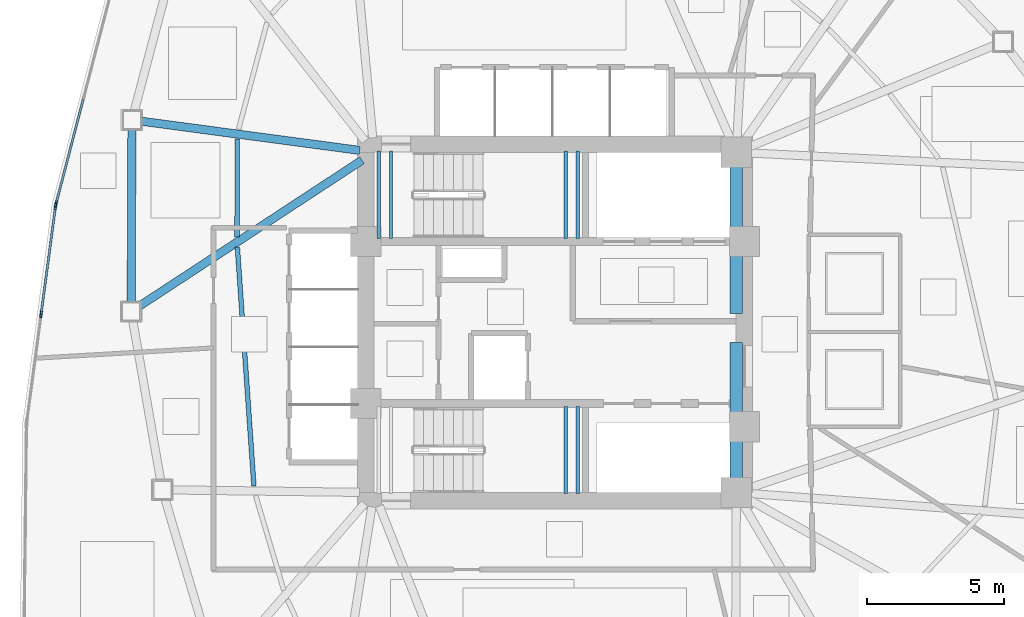
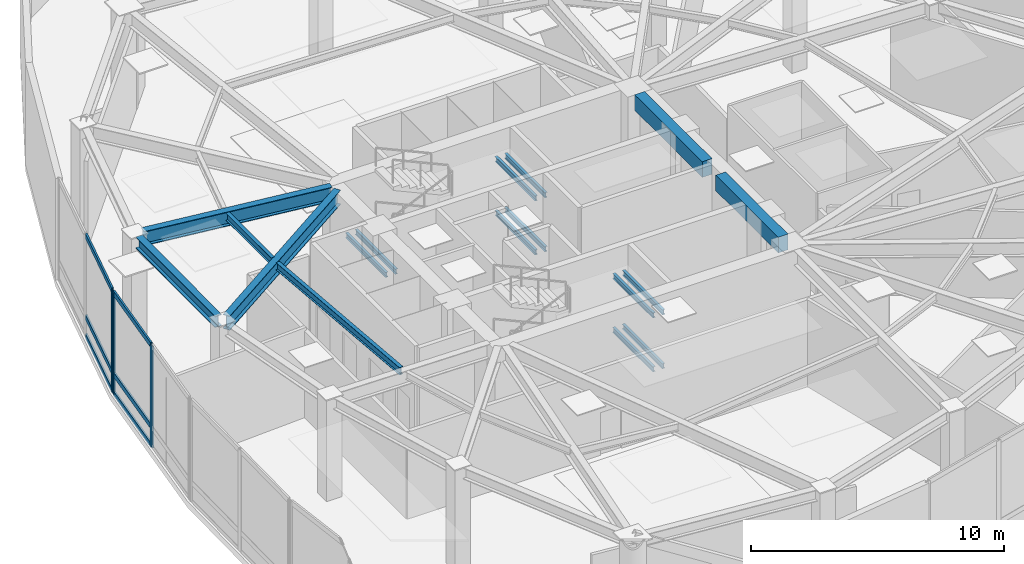
# One storey, part 4 of 14: 17 beams, 9 members, 2 elements without a shape of their own.
"""IFC4 building model written with IfcOpenShell, lengths in metres."""

from ifc_helpers import new_model, si_unit, direction, frame, origin, origin_2d, place, context, subcontext, project, spatial, rectangle, hollow_rectangle, i_section, extrude, source, transform, mapped, material, layer, layer_set, material_profile, profile_set, type_object, type_shapes, element, aggregate, save


model = new_model("IFC4")

# Units and contexts
model_context = context("Model", 3, precision=1e-05, world=origin(), true_north=direction((0.0, 1.0)))
body_context = subcontext(model_context, "Body", "Model", "MODEL_VIEW")
ifc_project = project(units=[si_unit("LENGTHUNIT", "METRE"), si_unit("AREAUNIT", "SQUARE_METRE"), si_unit("VOLUMEUNIT", "CUBIC_METRE"), si_unit("PLANEANGLEUNIT", "RADIAN"), si_unit("MASSUNIT", "GRAM", prefix="KILO")], contexts=[model_context])

# Site, building, storey
site_placement = place(None, origin())
site = spatial("IfcSite", under=ifc_project, at=site_placement, CompositionType="ELEMENT")
building_placement = place(site_placement, origin())
building = spatial("IfcBuilding", under=site, at=building_placement, Name="Tavelor Broadcast Tower", CompositionType="ELEMENT")
storey_placement = place(building_placement, frame((0.0, 0.0, 110.39990234375)))
storey = spatial("IfcBuildingStorey", under=building, at=storey_placement, Name="L25", CompositionType="ELEMENT", Elevation=110.39990234375)

# Beams
ifc_material_1 = material(Name="Concrete C40/50", Category="concrete")
ifc_material_profile_1 = material_profile(ifc_material_1, rectangle(XDim=0.449951171875, YDim=0.75, at=origin_2d()), Name="RC 450x750")
ifc_profile_set_1 = profile_set([ifc_material_profile_1], Name="Concrete C40/50")
beam_type_1 = type_object("IfcBeamType", Name="Basement Core Trim Beam 450x750", PredefinedType="BEAM", material=ifc_profile_set_1)
beam_1_placement = place(storey_placement, frame((56.60009765625, 45.327880859375, 4.525146484375), z_axis=(0.0, 1.0, 0.0), x_axis=(-1.0, 0.0, 0.0)))
element("IfcBeam", 1, at=beam_1_placement, inside=storey, type_object=beam_type_1, Name="L25 Core East-N Tie Girder", PredefinedType="BEAM", context=body_context, shape_type="SweptSolid", body=[
    extrude(rectangle(XDim=0.449951171875, YDim=0.75, at=origin_2d()), origin(), (0.0, 0.0, 1.0), 5.34423828125),
])
beam_2_placement = place(storey_placement, frame((56.60009765625, 39.327880859375, 4.525146484375), z_axis=(0.0, 1.0, 0.0), x_axis=(-1.0, 0.0, 0.0)))
element("IfcBeam", 2, at=beam_2_placement, inside=storey, type_object=beam_type_1, Name="L25 Core East-S Tie Girder", PredefinedType="BEAM", context=body_context, shape_type="SweptSolid", body=[
    extrude(rectangle(XDim=0.449951171875, YDim=0.75, at=origin_2d()), origin(), (0.0, 0.0, 1.0), 4.944091796875),
])
ifc_material_2 = material(Name="Steel S355", Category="steel")
ifc_material_profile_2 = material_profile(ifc_material_2, i_section(OverallWidth=0.169921875, OverallDepth=0.360107421875, WebThickness=0.008056640625, FlangeThickness=0.0126953125, at=origin_2d()), Name="IPE 360")
ifc_profile_set_2 = profile_set([ifc_material_profile_2], Name="Steel S355")
beam_type_2 = type_object("IfcBeamType", Name="Composite Floor Joist T3 IPE 360", PredefinedType="JOIST", material=ifc_profile_set_2)
beam_3_placement = place(storey_placement, frame((38.413818359375, 51.685302734375, 4.72021484375), z_axis=(-0.002320654457, -0.999997307278, 0.0), x_axis=(0.999997307278, -0.002320654457, 0.0)))
element("IfcBeam", 3, at=beam_3_placement, inside=storey, type_object=beam_type_2, Name="L25 Secondary Composite Floor Joist 03", PredefinedType="JOIST", context=body_context, shape_type="SweptSolid", body=[
    extrude(i_section(OverallWidth=0.169921875, OverallDepth=0.360107421875, WebThickness=0.008056640625, FlangeThickness=0.0126953125, at=origin_2d()), origin(), (0.0, 0.0, 1.0), 3.576904296875),
])
beam_4_placement = place(storey_placement, frame((38.41748046875, 47.74658203125, 4.72021484375), z_axis=(0.069100565304, -0.997609699168, 0.0), x_axis=(0.997609699168, 0.069100565304, 0.0)))
element("IfcBeam", 4, at=beam_4_placement, inside=storey, type_object=beam_type_2, Name="L25 Secondary Composite Floor Joist 04", PredefinedType="JOIST", context=body_context, shape_type="SweptSolid", body=[
    extrude(i_section(OverallWidth=0.169921875, OverallDepth=0.360107421875, WebThickness=0.008056640625, FlangeThickness=0.0126953125, at=origin_2d()), origin(), (0.0, 0.0, 1.0), 8.730224609375),
])
ifc_material_profile_3 = material_profile(ifc_material_2, i_section(OverallWidth=0.300048828125, OverallDepth=0.550048828125, WebThickness=0.014892578125, FlangeThickness=0.029052734375, at=origin_2d()), Name="HEB 550")
ifc_profile_set_3 = profile_set([ifc_material_profile_3], Name="Steel S355")
beam_type_3 = type_object("IfcBeamType", Name="Perimeter Spandrel Beam T3 HEB 550", PredefinedType="SPANDREL", material=ifc_profile_set_3)
beam_5_placement = place(storey_placement, frame((34.57373046875, 52.043212890625, 4.625), z_axis=(-0.00410245019, -0.999991584916, 0.0), x_axis=(0.999991584916, -0.00410245019, 0.0)))
element("IfcBeam", 5, at=beam_5_placement, inside=storey, type_object=beam_type_3, Name="L25 Framed-Tube Ring Spandrel 03", PredefinedType="SPANDREL", context=body_context, shape_type="SweptSolid", body=[
    extrude(i_section(OverallWidth=0.300048828125, OverallDepth=0.550048828125, WebThickness=0.014892578125, FlangeThickness=0.029052734375, at=origin_2d()), origin(), (0.0, 0.0, 1.0), 6.30810546875),
])
ifc_material_profile_4 = material_profile(ifc_material_2, i_section(OverallWidth=0.300048828125, OverallDepth=0.68994140625, WebThickness=0.014404296875, FlangeThickness=0.027099609375, at=origin_2d()), Name="HEA 700")
ifc_profile_set_4 = profile_set([ifc_material_profile_4], Name="Steel S355")
beam_type_4 = type_object("IfcBeamType", Name="Radial Floor Girder T3 HEA 700", PredefinedType="BEAM", material=ifc_profile_set_4)
beam_6_placement = place(storey_placement, frame((42.876708984375, 51.27001953125, 4.55517578125), z_axis=(-0.991191527329, 0.132436234281, 0.0), x_axis=(-0.132436234281, -0.991191527329, 0.0)))
element("IfcBeam", 6, at=beam_6_placement, inside=storey, type_object=beam_type_4, Name="L25 Radial Primary Floor Girder 03", PredefinedType="BEAM", context=body_context, shape_type="SweptSolid", body=[
    extrude(i_section(OverallWidth=0.300048828125, OverallDepth=0.68994140625, WebThickness=0.014404296875, FlangeThickness=0.027099609375, at=origin_2d()), origin(), (0.0, 0.0, 1.0), 8.039306640625),
])
beam_7_placement = place(storey_placement, frame((42.95849609375, 50.91064453125, 4.55517578125), z_axis=(-0.836455571638, -0.548034740391, 0.0), x_axis=(0.548034740391, -0.836455571638, 0.0)))
element("IfcBeam", 7, at=beam_7_placement, inside=storey, type_object=beam_type_4, Name="L25 Radial Primary Floor Girder 04", PredefinedType="BEAM", context=body_context, shape_type="SweptSolid", body=[
    extrude(i_section(OverallWidth=0.300048828125, OverallDepth=0.68994140625, WebThickness=0.014404296875, FlangeThickness=0.027099609375, at=origin_2d()), origin(), (0.0, 0.0, 1.0), 9.720947265625),
])
ifc_material_profile_5 = material_profile(ifc_material_2, i_section(OverallWidth=0.1201171875, OverallDepth=0.239990234375, WebThickness=0.006103515625, FlangeThickness=0.009765625, at=origin_2d()), Name="IPE 240")
ifc_profile_set_5 = profile_set([ifc_material_profile_5], Name="Steel S355")
beam_type_5 = type_object("IfcBeamType", Name="Stairwell Landing Support Trimmer Beam IPE240", PredefinedType="BEAM", material=ifc_profile_set_5)
for number, where, z_axis, x_axis, name in (
    (8, (50.385009765625, 48.06005859375, 0.985107421875), (0.0, 1.0, 0.0), (-1.0, 0.0, 0.0), "L25 Stair Landing Support Beam 79"),
    (9, (50.824951171875, 48.06005859375, 0.985107421875), (0.0, 1.0, 0.0), (-1.0, 0.0, 0.0), "L25 Stair Landing Support Beam 80"),
    (10, (43.574951171875, 48.06005859375, 2.28515625), (0.0, 1.0, 0.0), (-1.0, 0.0, 0.0), "L25 Stair Landing Support Beam 81"),
    (11, (44.014892578125, 48.06005859375, 2.28515625), (0.0, 1.0, 0.0), (-1.0, 0.0, 0.0), "L25 Stair Landing Support Beam 82"),
    (12, (50.385009765625, 48.06005859375, 3.585205078125), (0.0, 1.0, 0.0), (-1.0, 0.0, 0.0), "L25 Stair Landing Support Beam 83"),
    (13, (50.824951171875, 48.06005859375, 3.585205078125), (0.0, 1.0, 0.0), (-1.0, 0.0, 0.0), "L25 Stair Landing Support Beam 84"),
    (14, (50.385009765625, 38.760009765625, 0.985107421875), (0.0, 1.0, 0.0), (-1.0, 0.0, 0.0), "L25 Stair Landing Support Beam 293"),
    (15, (50.824951171875, 38.760009765625, 0.985107421875), (0.0, 1.0, 0.0), (-1.0, 0.0, 0.0), "L25 Stair Landing Support Beam 294"),
    (16, (50.385009765625, 38.760009765625, 3.585205078125), (0.0, 1.0, 0.0), (-1.0, 0.0, 0.0), "L25 Stair Landing Support Beam 297"),
    (17, (50.824951171875, 38.760009765625, 3.585205078125), (0.0, 1.0, 0.0), (-1.0, 0.0, 0.0), "L25 Stair Landing Support Beam 298"),
):
    element("IfcBeam", number, at=place(storey_placement, frame(where, z_axis=z_axis, x_axis=x_axis)), inside=storey, type_object=beam_type_5, Name=name, PredefinedType="BEAM", context=body_context, shape_type="SweptSolid", body=[
        extrude(i_section(OverallWidth=0.1201171875, OverallDepth=0.239990234375, WebThickness=0.006103515625, FlangeThickness=0.009765625, at=origin_2d()), origin(), (0.0, 0.0, 1.0), 3.179931640625),
    ])

# Curtain wall, member
ifc_material_3 = material(Name="Architectural Anodized Aluminium", Category="aluminium")
ifc_layer = layer(ifc_material_3, 0.239990234375)
ifc_layer_set = layer_set([ifc_layer], Name="Architectural Anodized Aluminium")
curtain_wall_type = type_object("IfcCurtainWallType", Name="Sky Lobby Feature Structural Curtain Wall CW05", PredefinedType="NOTDEFINED", material=ifc_layer_set)
curtain_wall_1_placement = place(storey_placement, origin())
curtain_wall_1 = element("IfcCurtainWall", 18, at=curtain_wall_1_placement, inside=storey, type_object=curtain_wall_type, Name="L25 Curtain Wall CW05 Run 241", PredefinedType="NOTDEFINED")
ifc_material_profile_6 = material_profile(ifc_material_3, hollow_rectangle(XDim=0.080078125, YDim=0.239990234375, WallThickness=0.02197265625, at=origin_2d()), Name="RHS 80x240x22")
ifc_profile_set_6 = profile_set([ifc_material_profile_6], Name="Architectural Anodized Aluminium")
member_type_1 = type_object("IfcMemberType", Name="CW05 Extruded Aluminium Mullion 80x240", PredefinedType="MULLION", material=ifc_profile_set_6)
shared_shape_1 = source(origin(), body_context, "Body", "SweptSolid", [
    extrude(hollow_rectangle(XDim=0.080078125, YDim=0.239990234375, WallThickness=0.02197265625, at=origin_2d()), origin(), (0.0, 0.0, 1.0), 4.900146484375),
])
type_shapes(member_type_1, [shared_shape_1])
member_1_placement = place(storey_placement, frame((31.81005859375, 49.330810546875, 0.0), z_axis=(0.0, 0.0, 1.0), x_axis=(0.967817103334, -0.251654633366, 0.0)))
member_1 = element("IfcMember", 19, at=member_1_placement, type_object=member_type_1, Name="CW05 mullion 3", PredefinedType="MULLION", context=body_context, shape_type="MappedRepresentation", body=[
    mapped(shared_shape_1, transform((0.0, 0.0, 0.0), scale=1.0)),
])

# Curtain wall, members
curtain_wall_2_placement = place(storey_placement, origin())
curtain_wall_2 = element("IfcCurtainWall", 20, at=curtain_wall_2_placement, inside=storey, type_object=curtain_wall_type, Name="L25 Curtain Wall CW05 Run 242", PredefinedType="NOTDEFINED")
member_2_placement = place(storey_placement, frame((31.788818359375, 49.22314453125, 0.0), z_axis=(0.0, 0.0, 1.0), x_axis=(0.99116015118, -0.132670851029, 0.0)))
member_2 = element("IfcMember", 21, at=member_2_placement, type_object=member_type_1, Name="CW05 mullion 1", PredefinedType="MULLION", context=body_context, shape_type="MappedRepresentation", body=[
    mapped(shared_shape_1, transform((0.0, 0.0, 0.0), scale=1.0)),
])
member_3_placement = place(storey_placement, frame((31.262939453125, 45.294189453125, 0.0), z_axis=(0.0, 0.0, 1.0), x_axis=(0.99116015118, -0.132670851029, 0.0)))
member_3 = element("IfcMember", 22, at=member_3_placement, type_object=member_type_1, Name="CW05 mullion 2", PredefinedType="MULLION", context=body_context, shape_type="MappedRepresentation", body=[
    mapped(shared_shape_1, transform((0.0, 0.0, 0.0), scale=1.0)),
])

# Member
ifc_material_profile_7 = material_profile(ifc_material_3, hollow_rectangle(XDim=0.080078125, YDim=0.239990234375, WallThickness=0.02197265625, at=origin_2d()), Name="RHS 80x240x22")
ifc_profile_set_7 = profile_set([ifc_material_profile_7], Name="Architectural Anodized Aluminium")
member_type_2 = type_object("IfcMemberType", Name="CW05 Extruded Aluminium Transom 80x240", PredefinedType="USERDEFINED", material=ifc_profile_set_7)
shared_shape_2 = source(origin(), body_context, "Body", "SweptSolid", [
    extrude(hollow_rectangle(XDim=0.080078125, YDim=0.239990234375, WallThickness=0.02197265625, at=origin_2d()), origin(), (0.0, 0.0, 1.0), 3.891357421875),
])
member_4_placement = place(storey_placement, frame((32.79931640625, 53.1357421875, 0.0400390625), z_axis=(-0.251647955775, -0.967818839636, 0.0), x_axis=(0.967818839636, -0.251647955775, 0.0)))
member_4 = element("IfcMember", 23, at=member_4_placement, type_object=member_type_2, Name="CW05 transom 2.1", ObjectType="TRANSOM", PredefinedType="USERDEFINED", context=body_context, shape_type="MappedRepresentation", body=[
    mapped(shared_shape_2, transform((0.0, 0.0, 0.0), scale=1.0)),
])

member_5_placement = place(storey_placement, frame((32.79931640625, 53.1357421875, 0.9501953125), z_axis=(-0.251647955775, -0.967818839636, 0.0), x_axis=(0.967818839636, -0.251647955775, 0.0)))
member_5 = element("IfcMember", 24, at=member_5_placement, type_object=member_type_2, Name="CW05 transom 2.2", ObjectType="TRANSOM", PredefinedType="USERDEFINED", context=body_context, shape_type="MappedRepresentation", body=[
    mapped(shared_shape_2, transform((0.0, 0.0, 0.0), scale=1.0)),
])

member_6_placement = place(storey_placement, frame((32.79931640625, 53.1357421875, 4.860107421875), z_axis=(-0.251647955775, -0.967818839636, 0.0), x_axis=(0.967818839636, -0.251647955775, 0.0)))
member_6 = element("IfcMember", 25, at=member_6_placement, type_object=member_type_2, Name="CW05 transom 2.3", ObjectType="TRANSOM", PredefinedType="USERDEFINED", context=body_context, shape_type="MappedRepresentation", body=[
    mapped(shared_shape_2, transform((0.0, 0.0, 0.0), scale=1.0)),
])

aggregate(curtain_wall_1, [member_1, member_4, member_5, member_6])

shared_shape_3 = source(origin(), body_context, "Body", "SweptSolid", [
    extrude(hollow_rectangle(XDim=0.080078125, YDim=0.239990234375, WallThickness=0.02197265625, at=origin_2d()), origin(), (0.0, 0.0, 1.0), 3.884033203125),
])
type_shapes(member_type_2, [shared_shape_2, shared_shape_3])
member_7_placement = place(storey_placement, frame((31.783447265625, 49.18359375, 0.0400390625), z_axis=(-0.1326330912, -0.991165204756, 0.0), x_axis=(0.991165204756, -0.1326330912, 0.0)))
member_7 = element("IfcMember", 26, at=member_7_placement, type_object=member_type_2, Name="CW05 transom 1.1", ObjectType="TRANSOM", PredefinedType="USERDEFINED", context=body_context, shape_type="MappedRepresentation", body=[
    mapped(shared_shape_3, transform((0.0, 0.0, 0.0), scale=1.0)),
])

member_8_placement = place(storey_placement, frame((31.783447265625, 49.18359375, 0.9501953125), z_axis=(-0.1326330912, -0.991165204756, 0.0), x_axis=(0.991165204756, -0.1326330912, 0.0)))
member_8 = element("IfcMember", 27, at=member_8_placement, type_object=member_type_2, Name="CW05 transom 1.2", ObjectType="TRANSOM", PredefinedType="USERDEFINED", context=body_context, shape_type="MappedRepresentation", body=[
    mapped(shared_shape_3, transform((0.0, 0.0, 0.0), scale=1.0)),
])

member_9_placement = place(storey_placement, frame((31.783447265625, 49.18359375, 4.860107421875), z_axis=(-0.1326330912, -0.991165204756, 0.0), x_axis=(0.991165204756, -0.1326330912, 0.0)))
member_9 = element("IfcMember", 28, at=member_9_placement, type_object=member_type_2, Name="CW05 transom 1.3", ObjectType="TRANSOM", PredefinedType="USERDEFINED", context=body_context, shape_type="MappedRepresentation", body=[
    mapped(shared_shape_3, transform((0.0, 0.0, 0.0), scale=1.0)),
])

aggregate(curtain_wall_2, [member_2, member_3, member_7, member_8, member_9])

save(model, "model.ifc")
